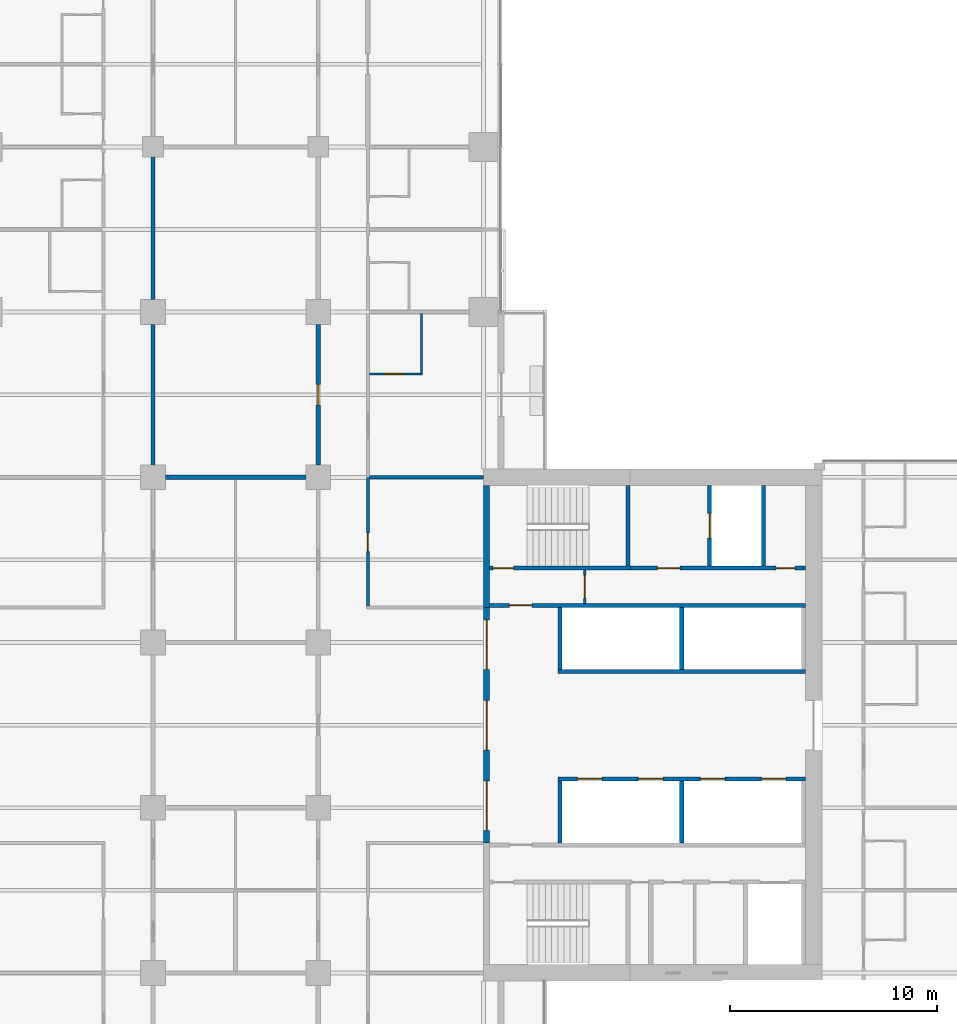
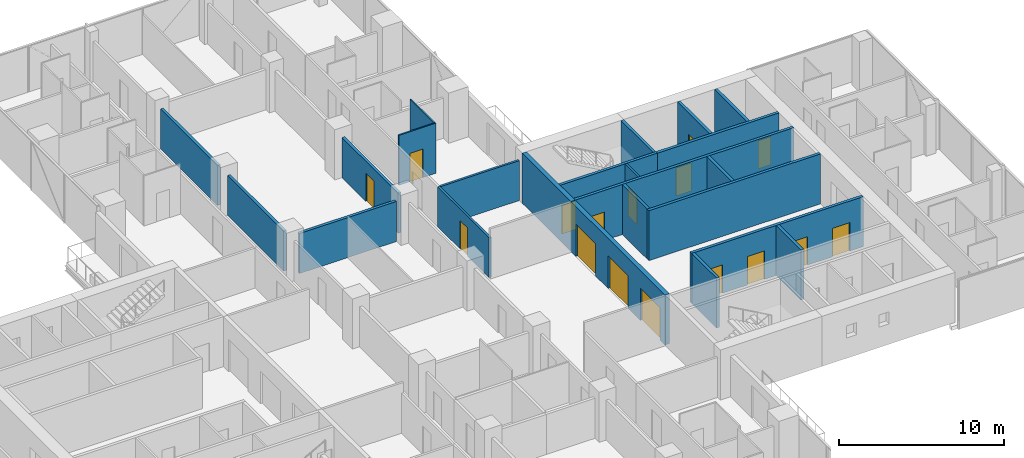
# One storey, part 20 of 27: 23 walls, 16 doors, 16 openings.
"""IFC4 building model written with IfcOpenShell, lengths in metres."""

from ifc_helpers import new_model, si_unit, direction, frame, frame_2d, origin, place, context, subcontext, project, spatial, rectangle, extrude, material, layer, layer_set, type_object, element, fill, save


model = new_model("IFC4")

# Units and contexts
model_context = context("Model", 3, precision=1e-05, world=origin(), true_north=direction((0.0, 1.0)))
body_context = subcontext(model_context, "Body", "Model", "MODEL_VIEW")
ifc_project = project(units=[si_unit("LENGTHUNIT", "METRE"), si_unit("AREAUNIT", "SQUARE_METRE"), si_unit("VOLUMEUNIT", "CUBIC_METRE"), si_unit("PLANEANGLEUNIT", "RADIAN"), si_unit("MASSUNIT", "GRAM", prefix="KILO")], contexts=[model_context])

# Site, building, storey
site_placement = place(None, origin())
site = spatial("IfcSite", under=ifc_project, at=site_placement, CompositionType="ELEMENT")
building_placement = place(site_placement, origin())
building = spatial("IfcBuilding", under=site, at=building_placement, Name="Crosswind Convention Tower", CompositionType="ELEMENT")
storey_placement = place(building_placement, frame((0.0, 0.0, 72.0)))
storey = spatial("IfcBuildingStorey", under=building, at=storey_placement, Name="L12", CompositionType="ELEMENT", Elevation=72.0)

# Wall, opening, door
ifc_material_1 = material(Name="Plasterboard partition", Category="gypsum")
ifc_layer_1 = layer(ifc_material_1, 0.14990234375)
ifc_layer_set_1 = layer_set([ifc_layer_1], Name="CORRIDOR WALL 150")
wall_type_1 = type_object("IfcWallType", Name="CORRIDOR WALL 150", PredefinedType="PARTITIONING", material=ifc_layer_set_1)
wall_1_placement = place(storey_placement, frame((131.39990234375, 105.77490234375, 0.0), z_axis=(0.0, 0.0, 1.0), x_axis=(0.0, 1.0, 0.0)))
wall_1 = element("IfcWall", 1, at=wall_1_placement, inside=storey, type_object=wall_type_1, Name="Corridor Wall 117", PredefinedType="PARTITIONING", context=body_context, shape_type="SweptSolid", body=[
    extrude(rectangle(XDim=6.22509765625, YDim=0.14990234375, at=frame_2d((3.112548828125, 0.0))), origin(), (0.0, 0.0, 1.0), 2.956298828125),
])
opening_1_placement = place(wall_1_placement, frame((2.625, 0.0, 0.0)))
opening_1 = element("IfcOpeningElement", 2, at=opening_1_placement, cuts=wall_1, Name="Opening 12.001", PredefinedType="OPENING", context=body_context, shape_type="SweptSolid", body=[
    extrude(rectangle(XDim=0.89990234375, YDim=2.10009765625, at=frame_2d((0.449951171875, 1.050048828125))), frame((0.0, 0.0849609375, 0.0), z_axis=(0.0, -1.0, 0.0), x_axis=(1.0, 0.0, 0.0)), (0.0, 0.0, 1.0), 0.169921875),
])
ifc_material_2 = material(Name="Timber door", Category="wood")
door_type_1 = type_object("IfcDoorType", Name="WC DOOR 900X2100", OperationType="NOTDEFINED", PredefinedType="DOOR", material=ifc_material_2)
door_1_placement = place(opening_1_placement, frame((0.89990234375, 0.0, 0.0), z_axis=(0.0, 0.0, 1.0), x_axis=(-1.0, 0.0, 0.0)))
door_1 = element("IfcDoor", 3, at=door_1_placement, inside=storey, type_object=door_type_1, Name="Door 12.001", ObjectType="D7", OperationType="SINGLE_SWING_LEFT", OverallHeight=2.10009765625, OverallWidth=0.89990234375, PredefinedType="DOOR", context=body_context, shape_type="SweptSolid", body=[
    extrude(rectangle(XDim=0.89990234375, YDim=2.10009765625, at=frame_2d((0.449951171875, 1.050048828125))), frame((0.0, 0.02490234375, 0.0), z_axis=(0.0, -1.0, 0.0), x_axis=(1.0, 0.0, 0.0)), (0.0, 0.0, 1.0), 0.050048828125),
])
fill(opening_1, door_1)

# Wall, openings, doors
ifc_material_3 = material(Name="Concrete C50/60", Category="concrete")
ifc_layer_2 = layer(ifc_material_3, 0.300048828125)
ifc_layer_set_2 = layer_set([ifc_layer_2], Name="Concrete C50/60")
wall_type_2 = type_object("IfcWallType", Name="Concrete inner core wall 300", PredefinedType="SHEAR", material=ifc_layer_set_2)
wall_2_placement = place(storey_placement, frame((137.14990234375, 94.300048828125, 0.0), z_axis=(0.0, 0.0, 1.0), x_axis=(0.0, 1.0, 0.0)))
wall_2 = element("IfcWall", 4, at=wall_2_placement, inside=storey, type_object=wall_type_2, Name="Wall SCR E L12", PredefinedType="SHEAR", context=body_context, shape_type="SweptSolid", body=[
    extrude(rectangle(XDim=11.39990234375, YDim=0.300048828125, at=frame_2d((5.699951171875, 0.0))), origin(), (0.0, 0.0, 1.0), 3.699951171875),
])
opening_2_placement = place(wall_2_placement, frame((0.60009765625, 0.0, 0.0)))
opening_2 = element("IfcOpeningElement", 5, at=opening_2_placement, cuts=wall_2, Name="Opening D100", PredefinedType="OPENING", context=body_context, shape_type="SweptSolid", body=[
    extrude(rectangle(XDim=2.39990234375, YDim=2.39990234375, at=frame_2d((1.199951171875, 1.199951171875))), frame((0.0, 0.159912109375, 0.0), z_axis=(0.0, -1.0, 0.0), x_axis=(1.0, 0.0, 0.0)), (0.0, 0.0, 1.0), 0.320068359375),
])
opening_3_placement = place(wall_2_placement, frame((4.5, 0.0, 0.0)))
opening_3 = element("IfcOpeningElement", 6, at=opening_3_placement, cuts=wall_2, Name="Opening D100", PredefinedType="OPENING", context=body_context, shape_type="SweptSolid", body=[
    extrude(rectangle(XDim=2.39990234375, YDim=2.39990234375, at=frame_2d((1.199951171875, 1.199951171875))), frame((0.0, 0.159912109375, 0.0), z_axis=(0.0, -1.0, 0.0), x_axis=(1.0, 0.0, 0.0)), (0.0, 0.0, 1.0), 0.320068359375),
])
opening_4_placement = place(wall_2_placement, frame((8.39990234375, 0.0, 0.0)))
opening_4 = element("IfcOpeningElement", 7, at=opening_4_placement, cuts=wall_2, Name="Opening D100", PredefinedType="OPENING", context=body_context, shape_type="SweptSolid", body=[
    extrude(rectangle(XDim=2.39990234375, YDim=2.39990234375, at=frame_2d((1.199951171875, 1.199951171875))), frame((0.0, 0.159912109375, 0.0), z_axis=(0.0, -1.0, 0.0), x_axis=(1.0, 0.0, 0.0)), (0.0, 0.0, 1.0), 0.320068359375),
])
ifc_material_4 = material(Name="Steel fire door with glazed vision panels", Category="steel")
door_type_2 = type_object("IfcDoorType", Name="Fire-rated double door 2400x2400", OperationType="DOUBLE_DOOR_SINGLE_SWING", PredefinedType="DOOR", material=ifc_material_4)
door_2_placement = place(opening_2_placement, origin())
door_2 = element("IfcDoor", 8, at=door_2_placement, inside=storey, type_object=door_type_2, Name="Lobby door 1 L12", ObjectType="D100", OperationType="DOUBLE_DOOR_SINGLE_SWING", OverallHeight=2.39990234375, OverallWidth=2.39990234375, PredefinedType="DOOR", context=body_context, shape_type="SweptSolid", body=[
    extrude(rectangle(XDim=2.39990234375, YDim=2.39990234375, at=frame_2d((1.199951171875, 1.199951171875))), frame((0.0, 0.02490234375, 0.0), z_axis=(0.0, -1.0, 0.0), x_axis=(1.0, 0.0, 0.0)), (0.0, 0.0, 1.0), 0.050048828125),
])
fill(opening_2, door_2)
door_3_placement = place(opening_3_placement, origin())
door_3 = element("IfcDoor", 9, at=door_3_placement, inside=storey, type_object=door_type_2, Name="Lobby door 2 L12", ObjectType="D100", OperationType="DOUBLE_DOOR_SINGLE_SWING", OverallHeight=2.39990234375, OverallWidth=2.39990234375, PredefinedType="DOOR", context=body_context, shape_type="SweptSolid", body=[
    extrude(rectangle(XDim=2.39990234375, YDim=2.39990234375, at=frame_2d((1.199951171875, 1.199951171875))), frame((0.0, 0.02490234375, 0.0), z_axis=(0.0, -1.0, 0.0), x_axis=(1.0, 0.0, 0.0)), (0.0, 0.0, 1.0), 0.050048828125),
])
fill(opening_3, door_3)
door_4_placement = place(opening_4_placement, origin())
door_4 = element("IfcDoor", 10, at=door_4_placement, inside=storey, type_object=door_type_2, Name="Lobby door 3 L12", ObjectType="D100", OperationType="DOUBLE_DOOR_SINGLE_SWING", OverallHeight=2.39990234375, OverallWidth=2.39990234375, PredefinedType="DOOR", context=body_context, shape_type="SweptSolid", body=[
    extrude(rectangle(XDim=2.39990234375, YDim=2.39990234375, at=frame_2d((1.199951171875, 1.199951171875))), frame((0.0, 0.02490234375, 0.0), z_axis=(0.0, -1.0, 0.0), x_axis=(1.0, 0.0, 0.0)), (0.0, 0.0, 1.0), 0.050048828125),
])
fill(opening_4, door_4)

# Walls
wall_3_placement = place(storey_placement, frame((137.14990234375, 105.699951171875, 0.0), z_axis=(0.0, 0.0, 1.0), x_axis=(0.0, 1.0, 0.0)))
element("IfcWall", 11, at=wall_3_placement, inside=storey, type_object=wall_type_2, Name="Wall EP E L12", PredefinedType="SHEAR", context=body_context, shape_type="SweptSolid", body=[
    extrude(rectangle(XDim=5.900146484375, YDim=0.300048828125, at=frame_2d((2.9501953125, 0.0))), origin(), (0.0, 0.0, 1.0), 3.699951171875),
])
ifc_layer_3 = layer(ifc_material_3, 0.199951171875)
ifc_layer_set_3 = layer_set([ifc_layer_3], Name="Concrete C50/60")
wall_type_3 = type_object("IfcWallType", Name="Concrete shaft and stair wall 200", PredefinedType="SHEAR", material=ifc_layer_set_3)
for number, where, z_axis, x_axis, name in (
    (12, (140.699951171875, 102.699951171875, 0.0), (0.0, 0.0, 1.0), (0.0, 1.0, 0.0), "Wall RPEND E L12"),
    (13, (146.60009765625, 102.699951171875, 0.0), (0.0, 0.0, 1.0), (0.0, 1.0, 0.0), "Wall RPSEP E L12"),
):
    element("IfcWall", number, at=place(storey_placement, frame(where, z_axis=z_axis, x_axis=x_axis)), inside=storey, type_object=wall_type_3, Name=name, PredefinedType="SHEAR", context=body_context, shape_type="SweptSolid", body=[
        extrude(rectangle(XDim=3.0, YDim=0.199951171875, at=frame_2d((1.5, 0.0))), origin(), (0.0, 0.0, 1.0), 3.699951171875),
    ])
wall_4_placement = place(storey_placement, frame((140.60009765625, 102.60009765625, 0.0), z_axis=(0.0, 0.0, 1.0), x_axis=(1.0, 0.0, 0.0)))
element("IfcWall", 14, at=wall_4_placement, inside=storey, type_object=wall_type_3, Name="Wall RPFRONT E L12", PredefinedType="SHEAR", context=body_context, shape_type="SweptSolid", body=[
    extrude(rectangle(XDim=12.0, YDim=0.199951171875, at=frame_2d((6.0, 0.0))), origin(), (0.0, 0.0, 1.0), 3.699951171875),
])
for number, where, z_axis, x_axis, name in (
    (15, (140.699951171875, 94.300048828125, 0.0), (0.0, 0.0, 1.0), (0.0, 1.0, 0.0), "Wall RMEND E L12"),
    (16, (146.60009765625, 94.300048828125, 0.0), (0.0, 0.0, 1.0), (0.0, 1.0, 0.0), "Wall RMSEP E L12"),
):
    element("IfcWall", number, at=place(storey_placement, frame(where, z_axis=z_axis, x_axis=x_axis)), inside=storey, type_object=wall_type_3, Name=name, PredefinedType="SHEAR", context=body_context, shape_type="SweptSolid", body=[
        extrude(rectangle(XDim=3.0, YDim=0.199951171875, at=frame_2d((1.5, 0.0))), origin(), (0.0, 0.0, 1.0), 3.699951171875),
    ])

# Wall, openings, doors
wall_5_placement = place(storey_placement, frame((140.60009765625, 97.39990234375, 0.0), z_axis=(0.0, 0.0, 1.0), x_axis=(1.0, 0.0, 0.0)))
wall_5 = element("IfcWall", 17, at=wall_5_placement, inside=storey, type_object=wall_type_3, Name="Wall RMFRONT E L12", PredefinedType="SHEAR", context=body_context, shape_type="SweptSolid", body=[
    extrude(rectangle(XDim=12.0, YDim=0.199951171875, at=frame_2d((6.0, 0.0))), origin(), (0.0, 0.0, 1.0), 3.699951171875),
])
opening_5_placement = place(wall_5_placement, frame((0.949951171875, 0.0, 0.0)))
opening_5 = element("IfcOpeningElement", 18, at=opening_5_placement, cuts=wall_5, Name="Opening LD1", PredefinedType="OPENING", context=body_context, shape_type="SweptSolid", body=[
    extrude(rectangle(XDim=1.199951171875, YDim=2.10009765625, at=frame_2d((0.60009765625, 1.050048828125))), frame((0.0, 0.10986328125, 0.0), z_axis=(0.0, -1.0, 0.0), x_axis=(1.0, 0.0, 0.0)), (0.0, 0.0, 1.0), 0.219970703125),
])
opening_6_placement = place(wall_5_placement, frame((3.89990234375, 0.0, 0.0)))
opening_6 = element("IfcOpeningElement", 19, at=opening_6_placement, cuts=wall_5, Name="Opening LD1", PredefinedType="OPENING", context=body_context, shape_type="SweptSolid", body=[
    extrude(rectangle(XDim=1.199951171875, YDim=2.10009765625, at=frame_2d((0.60009765625, 1.050048828125))), frame((0.0, 0.10986328125, 0.0), z_axis=(0.0, -1.0, 0.0), x_axis=(1.0, 0.0, 0.0)), (0.0, 0.0, 1.0), 0.219970703125),
])
opening_7_placement = place(wall_5_placement, frame((6.89990234375, 0.0, 0.0)))
opening_7 = element("IfcOpeningElement", 20, at=opening_7_placement, cuts=wall_5, Name="Opening LD1", PredefinedType="OPENING", context=body_context, shape_type="SweptSolid", body=[
    extrude(rectangle(XDim=1.199951171875, YDim=2.10009765625, at=frame_2d((0.60009765625, 1.050048828125))), frame((0.0, 0.10986328125, 0.0), z_axis=(0.0, -1.0, 0.0), x_axis=(1.0, 0.0, 0.0)), (0.0, 0.0, 1.0), 0.219970703125),
])
opening_8_placement = place(wall_5_placement, frame((9.85009765625, 0.0, 0.0)))
opening_8 = element("IfcOpeningElement", 21, at=opening_8_placement, cuts=wall_5, Name="Opening LD1", PredefinedType="OPENING", context=body_context, shape_type="SweptSolid", body=[
    extrude(rectangle(XDim=1.199951171875, YDim=2.10009765625, at=frame_2d((0.60009765625, 1.050048828125))), frame((0.0, 0.10986328125, 0.0), z_axis=(0.0, -1.0, 0.0), x_axis=(1.0, 0.0, 0.0)), (0.0, 0.0, 1.0), 0.219970703125),
])
ifc_material_5 = material(Name="Stainless steel", Category="steel")
door_type_3 = type_object("IfcDoorType", Name="Lift landing door 1200x2100", OperationType="DOUBLE_DOOR_SLIDING", PredefinedType="DOOR", material=ifc_material_5)
door_5_placement = place(opening_5_placement, origin())
door_5 = element("IfcDoor", 22, at=door_5_placement, inside=storey, type_object=door_type_3, Name="Landing door H1 L12", ObjectType="LD1", OperationType="DOUBLE_DOOR_SLIDING", OverallHeight=2.10009765625, OverallWidth=1.199951171875, PredefinedType="DOOR", context=body_context, shape_type="SweptSolid", body=[
    extrude(rectangle(XDim=1.199951171875, YDim=2.10009765625, at=frame_2d((0.60009765625, 1.050048828125))), frame((0.0, 0.02490234375, 0.0), z_axis=(0.0, -1.0, 0.0), x_axis=(1.0, 0.0, 0.0)), (0.0, 0.0, 1.0), 0.050048828125),
])
fill(opening_5, door_5)
door_6_placement = place(opening_6_placement, origin())
door_6 = element("IfcDoor", 23, at=door_6_placement, inside=storey, type_object=door_type_3, Name="Landing door H2 L12", ObjectType="LD1", OperationType="DOUBLE_DOOR_SLIDING", OverallHeight=2.10009765625, OverallWidth=1.199951171875, PredefinedType="DOOR", context=body_context, shape_type="SweptSolid", body=[
    extrude(rectangle(XDim=1.199951171875, YDim=2.10009765625, at=frame_2d((0.60009765625, 1.050048828125))), frame((0.0, 0.02490234375, 0.0), z_axis=(0.0, -1.0, 0.0), x_axis=(1.0, 0.0, 0.0)), (0.0, 0.0, 1.0), 0.050048828125),
])
fill(opening_6, door_6)
door_7_placement = place(opening_7_placement, origin())
door_7 = element("IfcDoor", 24, at=door_7_placement, inside=storey, type_object=door_type_3, Name="Landing door H3 L12", ObjectType="LD1", OperationType="DOUBLE_DOOR_SLIDING", OverallHeight=2.10009765625, OverallWidth=1.199951171875, PredefinedType="DOOR", context=body_context, shape_type="SweptSolid", body=[
    extrude(rectangle(XDim=1.199951171875, YDim=2.10009765625, at=frame_2d((0.60009765625, 1.050048828125))), frame((0.0, 0.02490234375, 0.0), z_axis=(0.0, -1.0, 0.0), x_axis=(1.0, 0.0, 0.0)), (0.0, 0.0, 1.0), 0.050048828125),
])
fill(opening_7, door_7)
door_8_placement = place(opening_8_placement, origin())
door_8 = element("IfcDoor", 25, at=door_8_placement, inside=storey, type_object=door_type_3, Name="Landing door H4 L12", ObjectType="LD1", OperationType="DOUBLE_DOOR_SLIDING", OverallHeight=2.10009765625, OverallWidth=1.199951171875, PredefinedType="DOOR", context=body_context, shape_type="SweptSolid", body=[
    extrude(rectangle(XDim=1.199951171875, YDim=2.10009765625, at=frame_2d((0.60009765625, 1.050048828125))), frame((0.0, 0.02490234375, 0.0), z_axis=(0.0, -1.0, 0.0), x_axis=(1.0, 0.0, 0.0)), (0.0, 0.0, 1.0), 0.050048828125),
])
fill(opening_8, door_8)

# Wall, opening, door
wall_6_placement = place(storey_placement, frame((137.300048828125, 105.800048828125, 0.0), z_axis=(0.0, 0.0, 1.0), x_axis=(1.0, 0.0, 0.0)))
wall_6 = element("IfcWall", 26, at=wall_6_placement, inside=storey, type_object=wall_type_3, Name="Wall HP E L12", PredefinedType="SHEAR", context=body_context, shape_type="SweptSolid", body=[
    extrude(rectangle(XDim=15.300048828125, YDim=0.199951171875, at=frame_2d((7.64990234375, 0.0))), origin(), (0.0, 0.0, 1.0), 3.699951171875),
])
opening_9_placement = place(wall_6_placement, frame((0.949951171875, 0.0, 0.0)))
opening_9 = element("IfcOpeningElement", 27, at=opening_9_placement, cuts=wall_6, Name="Opening D104", PredefinedType="OPENING", context=body_context, shape_type="SweptSolid", body=[
    extrude(rectangle(XDim=1.10009765625, YDim=2.10009765625, at=frame_2d((0.550048828125, 1.050048828125))), frame((0.0, 0.10986328125, 0.0), z_axis=(0.0, -1.0, 0.0), x_axis=(1.0, 0.0, 0.0)), (0.0, 0.0, 1.0), 0.219970703125),
])
ifc_material_6 = material(Name="Steel fire door", Category="steel")
door_type_4 = type_object("IfcDoorType", Name="Fire-rated single door 1100x2100", OperationType="NOTDEFINED", PredefinedType="DOOR", material=ifc_material_6)
door_9_placement = place(opening_9_placement, origin())
door_9 = element("IfcDoor", 28, at=door_9_placement, inside=storey, type_object=door_type_4, Name="Corridor door L12", ObjectType="D104", OperationType="SINGLE_SWING_LEFT", OverallHeight=2.10009765625, OverallWidth=1.10009765625, PredefinedType="DOOR", context=body_context, shape_type="SweptSolid", body=[
    extrude(rectangle(XDim=1.10009765625, YDim=2.10009765625, at=frame_2d((0.550048828125, 1.050048828125))), frame((0.0, 0.02490234375, 0.0), z_axis=(0.0, -1.0, 0.0), x_axis=(1.0, 0.0, 0.0)), (0.0, 0.0, 1.0), 0.050048828125),
])
fill(opening_9, door_9)

# Wall
wall_7_placement = place(storey_placement, frame((144.0, 107.699951171875, 0.0), z_axis=(0.0, 0.0, 1.0), x_axis=(0.0, 1.0, 0.0)))
element("IfcWall", 29, at=wall_7_placement, inside=storey, type_object=wall_type_3, Name="Wall PSE E L12", PredefinedType="SHEAR", context=body_context, shape_type="SweptSolid", body=[
    extrude(rectangle(XDim=3.900146484375, YDim=0.199951171875, at=frame_2d((1.9501953125, 0.0))), origin(), (0.0, 0.0, 1.0), 3.699951171875),
])

# Wall, opening, door
wall_8_placement = place(storey_placement, frame((147.949951171875, 107.699951171875, 0.0), z_axis=(0.0, 0.0, 1.0), x_axis=(0.0, 1.0, 0.0)))
wall_8 = element("IfcWall", 30, at=wall_8_placement, inside=storey, type_object=wall_type_3, Name="Wall PFLW E L12", PredefinedType="SHEAR", context=body_context, shape_type="SweptSolid", body=[
    extrude(rectangle(XDim=3.900146484375, YDim=0.199951171875, at=frame_2d((1.9501953125, 0.0))), origin(), (0.0, 0.0, 1.0), 3.699951171875),
])
opening_10_placement = place(wall_8_placement, frame((1.35009765625, 0.0, 0.0)))
opening_10 = element("IfcOpeningElement", 31, at=opening_10_placement, cuts=wall_8, Name="Opening LD1", PredefinedType="OPENING", context=body_context, shape_type="SweptSolid", body=[
    extrude(rectangle(XDim=1.199951171875, YDim=2.10009765625, at=frame_2d((0.60009765625, 1.050048828125))), frame((0.0, 0.10986328125, 0.0), z_axis=(0.0, -1.0, 0.0), x_axis=(1.0, 0.0, 0.0)), (0.0, 0.0, 1.0), 0.219970703125),
])
door_10_placement = place(opening_10_placement, origin())
door_10 = element("IfcDoor", 32, at=door_10_placement, inside=storey, type_object=door_type_3, Name="Landing door FF1 L12", ObjectType="LD1", OperationType="DOUBLE_DOOR_SLIDING", OverallHeight=2.10009765625, OverallWidth=1.199951171875, PredefinedType="DOOR", context=body_context, shape_type="SweptSolid", body=[
    extrude(rectangle(XDim=1.199951171875, YDim=2.10009765625, at=frame_2d((0.60009765625, 1.050048828125))), frame((0.0, 0.02490234375, 0.0), z_axis=(0.0, -1.0, 0.0), x_axis=(1.0, 0.0, 0.0)), (0.0, 0.0, 1.0), 0.050048828125),
])
fill(opening_10, door_10)

# Wall
wall_9_placement = place(storey_placement, frame((150.550048828125, 107.699951171875, 0.0), z_axis=(0.0, 0.0, 1.0), x_axis=(0.0, 1.0, 0.0)))
element("IfcWall", 33, at=wall_9_placement, inside=storey, type_object=wall_type_3, Name="Wall PFSE E L12", PredefinedType="SHEAR", context=body_context, shape_type="SweptSolid", body=[
    extrude(rectangle(XDim=3.900146484375, YDim=0.199951171875, at=frame_2d((1.9501953125, 0.0))), origin(), (0.0, 0.0, 1.0), 3.699951171875),
])

# Wall, opening, door
wall_10_placement = place(storey_placement, frame((137.300048828125, 107.60009765625, 0.0), z_axis=(0.0, 0.0, 1.0), x_axis=(1.0, 0.0, 0.0)))
wall_10 = element("IfcWall", 34, at=wall_10_placement, inside=storey, type_object=wall_type_3, Name="Wall PCW E L12", PredefinedType="SHEAR", context=body_context, shape_type="SweptSolid", body=[
    extrude(rectangle(XDim=6.800048828125, YDim=0.199951171875, at=frame_2d((3.39990234375, 0.0))), origin(), (0.0, 0.0, 1.0), 3.699951171875),
])
opening_11_placement = place(wall_10_placement, frame((0.14990234375, 0.0, 0.0)))
opening_11 = element("IfcOpeningElement", 35, at=opening_11_placement, cuts=wall_10, Name="Opening D103", PredefinedType="OPENING", context=body_context, shape_type="SweptSolid", body=[
    extrude(rectangle(XDim=1.0, YDim=2.10009765625, at=frame_2d((0.5, 1.050048828125))), frame((0.0, 0.10986328125, 0.0), z_axis=(0.0, -1.0, 0.0), x_axis=(1.0, 0.0, 0.0)), (0.0, 0.0, 1.0), 0.219970703125),
])
door_type_5 = type_object("IfcDoorType", Name="Fire-rated single door 1000x2100", OperationType="NOTDEFINED", PredefinedType="DOOR", material=ifc_material_6)
door_11_placement = place(opening_11_placement, origin())
door_11 = element("IfcDoor", 36, at=door_11_placement, inside=storey, type_object=door_type_5, Name="Stair ST1 door L12", ObjectType="D103", OperationType="SINGLE_SWING_LEFT", OverallHeight=2.10009765625, OverallWidth=1.0, PredefinedType="DOOR", context=body_context, shape_type="SweptSolid", body=[
    extrude(rectangle(XDim=1.0, YDim=2.10009765625, at=frame_2d((0.5, 1.050048828125))), frame((0.0, 0.02490234375, 0.0), z_axis=(0.0, -1.0, 0.0), x_axis=(1.0, 0.0, 0.0)), (0.0, 0.0, 1.0), 0.050048828125),
])
fill(opening_11, door_11)

# Wall, openings, doors
wall_11_placement = place(storey_placement, frame((144.10009765625, 107.60009765625, 0.0), z_axis=(0.0, 0.0, 1.0), x_axis=(1.0, 0.0, 0.0)))
wall_11 = element("IfcWall", 37, at=wall_11_placement, inside=storey, type_object=wall_type_3, Name="Wall PCX E L12", PredefinedType="SHEAR", context=body_context, shape_type="SweptSolid", body=[
    extrude(rectangle(XDim=8.5, YDim=0.199951171875, at=frame_2d((4.25, 0.0))), origin(), (0.0, 0.0, 1.0), 3.699951171875),
])
opening_12_placement = place(wall_11_placement, frame((1.324951171875, 0.0, 0.0)))
opening_12 = element("IfcOpeningElement", 38, at=opening_12_placement, cuts=wall_11, Name="Opening D104", PredefinedType="OPENING", context=body_context, shape_type="SweptSolid", body=[
    extrude(rectangle(XDim=1.10009765625, YDim=2.10009765625, at=frame_2d((0.550048828125, 1.050048828125))), frame((0.0, 0.10986328125, 0.0), z_axis=(0.0, -1.0, 0.0), x_axis=(1.0, 0.0, 0.0)), (0.0, 0.0, 1.0), 0.219970703125),
])
opening_13_placement = place(wall_11_placement, frame((7.074951171875, 0.0, 0.0)))
opening_13 = element("IfcOpeningElement", 39, at=opening_13_placement, cuts=wall_11, Name="Opening D106", PredefinedType="OPENING", context=body_context, shape_type="SweptSolid", body=[
    extrude(rectangle(XDim=0.89990234375, YDim=2.10009765625, at=frame_2d((0.449951171875, 1.050048828125))), frame((0.0, 0.10986328125, 0.0), z_axis=(0.0, -1.0, 0.0), x_axis=(1.0, 0.0, 0.0)), (0.0, 0.0, 1.0), 0.219970703125),
])
door_12_placement = place(opening_12_placement, origin())
door_12 = element("IfcDoor", 40, at=door_12_placement, inside=storey, type_object=door_type_4, Name="Fire-fighting lobby FF1 door L12", ObjectType="D104", OperationType="SINGLE_SWING_RIGHT", OverallHeight=2.10009765625, OverallWidth=1.10009765625, PredefinedType="DOOR", context=body_context, shape_type="SweptSolid", body=[
    extrude(rectangle(XDim=1.10009765625, YDim=2.10009765625, at=frame_2d((0.550048828125, 1.050048828125))), frame((0.0, 0.02490234375, 0.0), z_axis=(0.0, -1.0, 0.0), x_axis=(1.0, 0.0, 0.0)), (0.0, 0.0, 1.0), 0.050048828125),
])
fill(opening_12, door_12)
door_type_6 = type_object("IfcDoorType", Name="Single leaf door 900x2100", OperationType="NOTDEFINED", PredefinedType="DOOR", material=ifc_material_2)
door_13_placement = place(opening_13_placement, origin())
door_13 = element("IfcDoor", 41, at=door_13_placement, inside=storey, type_object=door_type_6, Name="Door to cleaners' store L12", ObjectType="D106", OperationType="SINGLE_SWING_RIGHT", OverallHeight=2.10009765625, OverallWidth=0.89990234375, PredefinedType="DOOR", context=body_context, shape_type="SweptSolid", body=[
    extrude(rectangle(XDim=0.89990234375, YDim=2.10009765625, at=frame_2d((0.449951171875, 1.050048828125))), frame((0.0, 0.02490234375, 0.0), z_axis=(0.0, -1.0, 0.0), x_axis=(1.0, 0.0, 0.0)), (0.0, 0.0, 1.0), 0.050048828125),
])
fill(opening_13, door_13)

# Wall, opening, door
ifc_material_7 = material(Name="Gypsum plasterboard partition", Category="gypsum")
ifc_layer_4 = layer(ifc_material_7, 0.125)
ifc_layer_set_4 = layer_set([ifc_layer_4], Name="Drywall partition wall 125")
wall_type_4 = type_object("IfcWallType", Name="Drywall partition wall 125", PredefinedType="PARTITIONING", material=ifc_layer_set_4)
wall_12_placement = place(storey_placement, frame((141.89990234375, 105.89990234375, 0.0), z_axis=(0.0, 0.0, 1.0), x_axis=(0.0, 1.0, 0.0)))
wall_12 = element("IfcWall", 42, at=wall_12_placement, inside=storey, type_object=wall_type_4, Name="Wall PXC1 E L12", PredefinedType="PARTITIONING", context=body_context, shape_type="SweptSolid", body=[
    extrude(rectangle(XDim=1.60009765625, YDim=0.125, at=frame_2d((0.800048828125, 0.0))), origin(), (0.0, 0.0, 1.0), 3.699951171875),
])
opening_14_placement = place(wall_12_placement, frame((0.25, 0.0, 0.0)))
opening_14 = element("IfcOpeningElement", 43, at=opening_14_placement, cuts=wall_12, Name="Opening D104", PredefinedType="OPENING", context=body_context, shape_type="SweptSolid", body=[
    extrude(rectangle(XDim=1.10009765625, YDim=2.10009765625, at=frame_2d((0.550048828125, 1.050048828125))), frame((0.0, 0.072509765625, 0.0), z_axis=(0.0, -1.0, 0.0), x_axis=(1.0, 0.0, 0.0)), (0.0, 0.0, 1.0), 0.14501953125),
])
door_14_placement = place(opening_14_placement, origin())
door_14 = element("IfcDoor", 44, at=door_14_placement, inside=storey, type_object=door_type_4, Name="Corridor smoke door L12", ObjectType="D104", OperationType="SINGLE_SWING_RIGHT", OverallHeight=2.10009765625, OverallWidth=1.10009765625, PredefinedType="DOOR", context=body_context, shape_type="SweptSolid", body=[
    extrude(rectangle(XDim=1.10009765625, YDim=2.10009765625, at=frame_2d((0.550048828125, 1.050048828125))), frame((0.0, 0.02490234375, 0.0), z_axis=(0.0, -1.0, 0.0), x_axis=(1.0, 0.0, 0.0)), (0.0, 0.0, 1.0), 0.050048828125),
])
fill(opening_14, door_14)

# Walls
ifc_material_8 = material(Name="Acoustic plasterboard partition", Category="gypsum")
ifc_layer_5 = layer(ifc_material_8, 0.14990234375)
ifc_layer_set_5 = layer_set([ifc_layer_5], Name="GUEST ROOM WALL 150")
wall_type_5 = type_object("IfcWallType", Name="GUEST ROOM WALL 150", PredefinedType="PARTITIONING", material=ifc_layer_set_5)
wall_13_placement = place(storey_placement, frame((131.47509765625, 112.0, 0.0), z_axis=(0.0, 0.0, 1.0), x_axis=(1.0, 0.0, 0.0)))
element("IfcWall", 45, at=wall_13_placement, inside=storey, type_object=wall_type_5, Name="Guest Room Wall 53", PredefinedType="PARTITIONING", context=body_context, shape_type="SweptSolid", body=[
    extrude(rectangle(XDim=5.52490234375, YDim=0.14990234375, at=frame_2d((2.762451171875, 0.0))), origin(), (0.0, 0.0, 1.0), 2.956298828125),
])
ifc_material_9 = material(Name="Double plasterboard partition", Category="gypsum")
ifc_layer_6 = layer(ifc_material_9, 0.199951171875)
ifc_layer_set_6 = layer_set([ifc_layer_6], Name="HALL WALL 200")
wall_type_6 = type_object("IfcWallType", Name="HALL WALL 200", PredefinedType="PARTITIONING", material=ifc_layer_set_6)
for number, where, z_axis, x_axis, name in (
    (46, (121.60009765625, 112.0, 0.0), (0.0, 0.0, 1.0), (1.0, 0.0, 0.0), "Hall Wall 52"),
    (47, (121.0, 112.60009765625, 0.0), (0.0, 0.0, 1.0), (0.0, 1.0, 0.0), "Hall Wall 95"),
):
    element("IfcWall", number, at=place(storey_placement, frame(where, z_axis=z_axis, x_axis=x_axis)), inside=storey, type_object=wall_type_6, Name=name, PredefinedType="PARTITIONING", context=body_context, shape_type="SweptSolid", body=[
        extrude(rectangle(XDim=6.7998046875, YDim=0.199951171875, at=frame_2d((3.39990234375, 0.0))), origin(), (0.0, 0.0, 1.0), 2.959716796875),
    ])
wall_14_placement = place(storey_placement, frame((121.0, 120.60009765625, 0.0), z_axis=(0.0, 0.0, 1.0), x_axis=(0.0, 1.0, 0.0)))
element("IfcWall", 48, at=wall_14_placement, inside=storey, type_object=wall_type_6, Name="Hall Wall 96", PredefinedType="PARTITIONING", context=body_context, shape_type="SweptSolid", body=[
    extrude(rectangle(XDim=6.89990234375, YDim=0.199951171875, at=frame_2d((3.449951171875, 0.0))), origin(), (0.0, 0.0, 1.0), 2.959716796875),
])

# Wall, opening, door
wall_15_placement = place(storey_placement, frame((129.0, 112.60009765625, 0.0), z_axis=(0.0, 0.0, 1.0), x_axis=(0.0, 1.0, 0.0)))
wall_15 = element("IfcWall", 49, at=wall_15_placement, inside=storey, type_object=wall_type_6, Name="Hall Wall 111", PredefinedType="PARTITIONING", context=body_context, shape_type="SweptSolid", body=[
    extrude(rectangle(XDim=6.7998046875, YDim=0.199951171875, at=frame_2d((3.39990234375, 0.0))), origin(), (0.0, 0.0, 1.0), 2.959716796875),
])
opening_15_placement = place(wall_15_placement, frame((2.89990234375, 0.0, 0.0)))
opening_15 = element("IfcOpeningElement", 50, at=opening_15_placement, cuts=wall_15, Name="Opening 12.067", PredefinedType="OPENING", context=body_context, shape_type="SweptSolid", body=[
    extrude(rectangle(XDim=1.0, YDim=2.10009765625, at=frame_2d((0.5, 1.050048828125))), frame((0.0, 0.10986328125, 0.0), z_axis=(0.0, -1.0, 0.0), x_axis=(1.0, 0.0, 0.0)), (0.0, 0.0, 1.0), 0.219970703125),
])
ifc_material_10 = material(Name="Timber fire door", Category="wood")
door_type_7 = type_object("IfcDoorType", Name="MEETING ROOM DOOR 1000X2100", OperationType="NOTDEFINED", PredefinedType="DOOR", material=ifc_material_10)
door_15_placement = place(opening_15_placement, frame((1.0, 0.0, 0.0), z_axis=(0.0, 0.0, 1.0), x_axis=(-1.0, 0.0, 0.0)))
door_15 = element("IfcDoor", 51, at=door_15_placement, inside=storey, type_object=door_type_7, Name="Door 12.067", ObjectType="D13", OperationType="SINGLE_SWING_LEFT", OverallHeight=2.10009765625, OverallWidth=1.0, PredefinedType="DOOR", context=body_context, shape_type="SweptSolid", body=[
    extrude(rectangle(XDim=1.0, YDim=2.10009765625, at=frame_2d((0.5, 1.050048828125))), frame((0.0, 0.02490234375, 0.0), z_axis=(0.0, -1.0, 0.0), x_axis=(1.0, 0.0, 0.0)), (0.0, 0.0, 1.0), 0.050048828125),
])
fill(opening_15, door_15)

ifc_material_11 = material(Name="Water-resistant plasterboard partition", Category="gypsum")
ifc_layer_7 = layer(ifc_material_11, 0.10009765625)
ifc_layer_set_7 = layer_set([ifc_layer_7], Name="WET ROOM PARTITION 100")
wall_type_7 = type_object("IfcWallType", Name="WET ROOM PARTITION 100", PredefinedType="PLUMBINGWALL", material=ifc_layer_set_7)
wall_16_placement = place(storey_placement, frame((131.47509765625, 117.0, 0.0), z_axis=(0.0, 0.0, 1.0), x_axis=(1.0, 0.0, 0.0)))
wall_16 = element("IfcWall", 52, at=wall_16_placement, inside=storey, type_object=wall_type_7, Name="Wet Room Partition 54", PredefinedType="PLUMBINGWALL", context=body_context, shape_type="SweptSolid", body=[
    extrude(rectangle(XDim=2.574951171875, YDim=0.10009765625, at=frame_2d((1.28759765625, 0.0))), origin(), (0.0, 0.0, 1.0), 3.699951171875),
])
opening_16_placement = place(wall_16_placement, frame((0.77490234375, 0.0, 0.0)))
opening_16 = element("IfcOpeningElement", 53, at=opening_16_placement, cuts=wall_16, Name="Opening 12.006", PredefinedType="OPENING", context=body_context, shape_type="SweptSolid", body=[
    extrude(rectangle(XDim=0.89990234375, YDim=2.10009765625, at=frame_2d((0.449951171875, 1.050048828125))), frame((0.0, 0.06005859375, 0.0), z_axis=(0.0, -1.0, 0.0), x_axis=(1.0, 0.0, 0.0)), (0.0, 0.0, 1.0), 0.1201171875),
])
door_type_8 = type_object("IfcDoorType", Name="EN-SUITE DOOR 900X2100", OperationType="NOTDEFINED", PredefinedType="DOOR", material=ifc_material_2)
door_16_placement = place(opening_16_placement, origin())
door_16 = element("IfcDoor", 54, at=door_16_placement, inside=storey, type_object=door_type_8, Name="Door 12.006", ObjectType="D2", OperationType="SINGLE_SWING_RIGHT", OverallHeight=2.10009765625, OverallWidth=0.89990234375, PredefinedType="DOOR", context=body_context, shape_type="SweptSolid", body=[
    extrude(rectangle(XDim=0.89990234375, YDim=2.10009765625, at=frame_2d((0.449951171875, 1.050048828125))), frame((0.0, 0.02490234375, 0.0), z_axis=(0.0, -1.0, 0.0), x_axis=(1.0, 0.0, 0.0)), (0.0, 0.0, 1.0), 0.050048828125),
])
fill(opening_16, door_16)

# Wall
wall_17_placement = place(storey_placement, frame((134.0, 117.050048828125, 0.0), z_axis=(0.0, 0.0, 1.0), x_axis=(0.0, 1.0, 0.0)))
element("IfcWall", 55, at=wall_17_placement, inside=storey, type_object=wall_type_7, Name="Wet Room Partition 126", PredefinedType="PLUMBINGWALL", context=body_context, shape_type="SweptSolid", body=[
    extrude(rectangle(XDim=2.875, YDim=0.10009765625, at=frame_2d((1.4375, 0.0))), origin(), (0.0, 0.0, 1.0), 3.699951171875),
])

save(model, "model.ifc")
